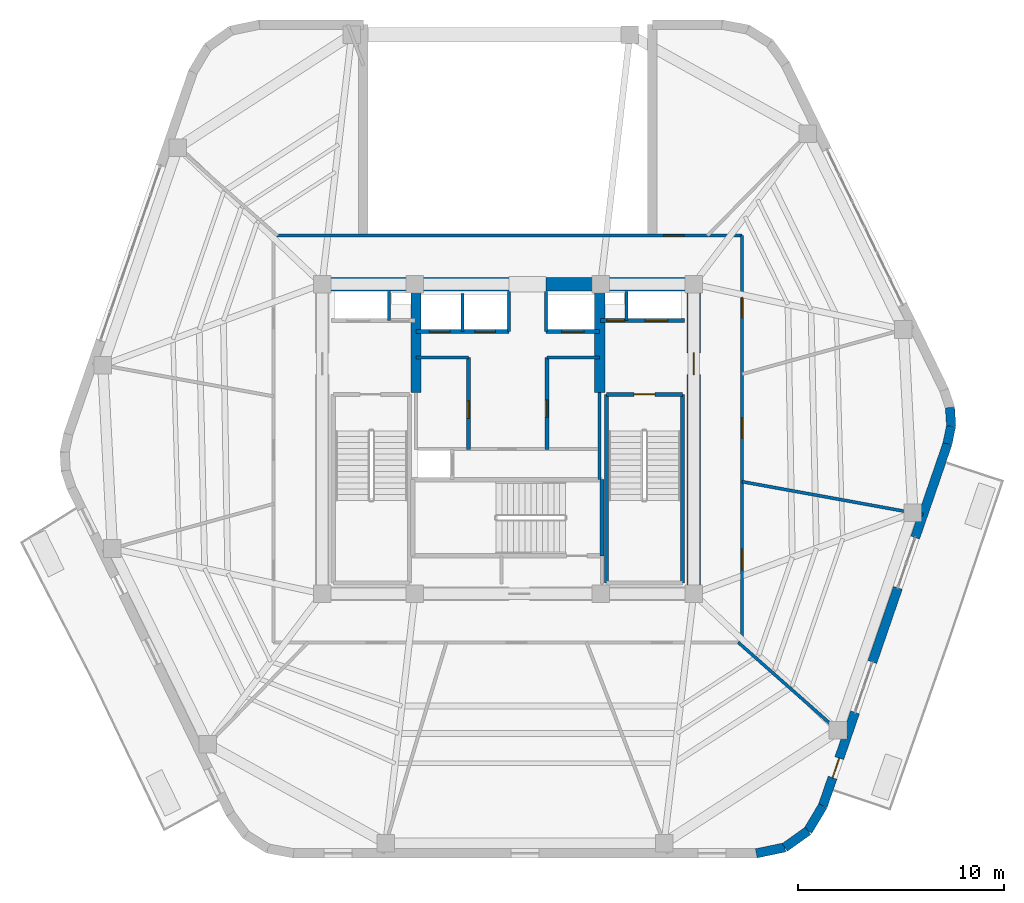
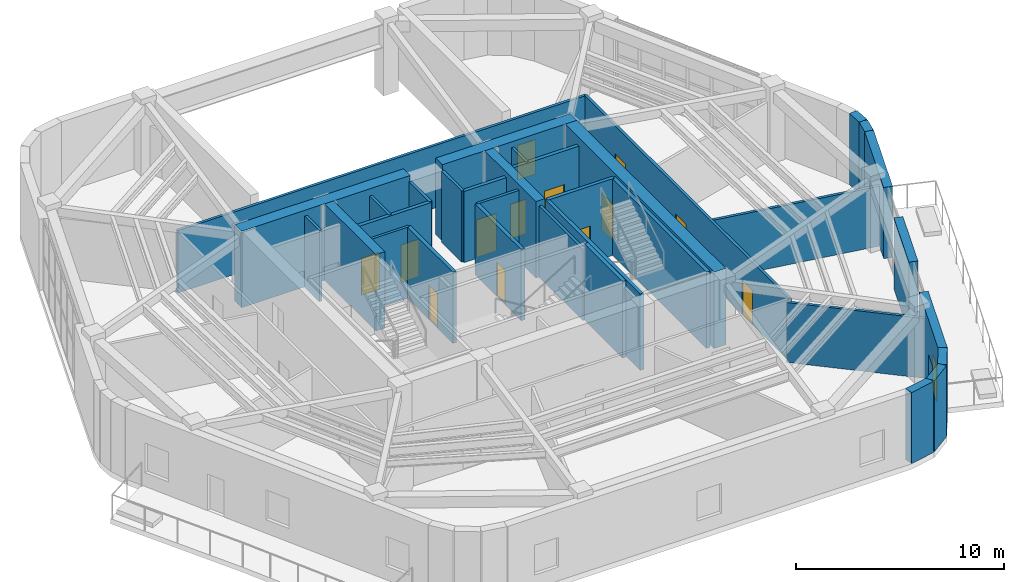
# One storey, part 12 of 15: 34 walls, 14 doors, 14 openings.
"""IFC4 building model written with IfcOpenShell, lengths in metres."""

from ifc_helpers import new_model, si_unit, direction, frame, frame_2d, origin, place, context, subcontext, project, spatial, rectangle, extrude, material, layer, layer_set, type_object, element, fill, save


model = new_model("IFC4")

# Units and contexts
model_context = context("Model", 3, precision=1e-05, world=origin(), true_north=direction((0.0, 1.0)))
body_context = subcontext(model_context, "Body", "Model", "MODEL_VIEW")
ifc_project = project(units=[si_unit("LENGTHUNIT", "METRE"), si_unit("AREAUNIT", "SQUARE_METRE"), si_unit("VOLUMEUNIT", "CUBIC_METRE"), si_unit("PLANEANGLEUNIT", "RADIAN"), si_unit("MASSUNIT", "GRAM", prefix="KILO")], contexts=[model_context])

# Site, building, storey
site_placement = place(None, origin())
site = spatial("IfcSite", under=ifc_project, at=site_placement, CompositionType="ELEMENT")
building_placement = place(site_placement, origin())
building = spatial("IfcBuilding", under=site, at=building_placement, Name="Kilnhurst Terrace Hotel", CompositionType="ELEMENT")
storey_placement = place(building_placement, frame((0.0, 0.0, 293.10009765625)))
storey = spatial("IfcBuildingStorey", under=building, at=storey_placement, Name="L73", CompositionType="ELEMENT", Elevation=293.10009765625)

# Walls
ifc_material_1 = material(Name="Precast concrete C40/50", Category="concrete")
ifc_layer_1 = layer(ifc_material_1, 0.449951171875, Name="Precast concrete C40/50")
ifc_layer_set_1 = layer_set([ifc_layer_1], Name="Precast concrete C40/50")
wall_type_1 = type_object("IfcWallType", Name="WL-BRK-450", PredefinedType="SOLIDWALL", material=ifc_layer_set_1)
wall_1_placement = place(storey_placement, frame((12.038330078125, -20.074951171875, 0.0), z_axis=(0.0, 0.0, 1.0), x_axis=(0.978750122553, 0.205056571711, 0.0)))
element("IfcWall", 1, at=wall_1_placement, inside=storey, type_object=wall_type_1, Name="L73 Rounded Corner Brick Wall C2.1", PredefinedType="SOLIDWALL", context=body_context, shape_type="SweptSolid", body=[
    extrude(rectangle(XDim=1.406005859375, YDim=0.449951171875, at=frame_2d((0.703125, 0.0))), origin(), (0.0, 0.0, 1.0), 4.179931640625),
])
wall_2_placement = place(storey_placement, frame((13.41455078125, -19.78662109375, 0.0), z_axis=(0.0, 0.0, 1.0), x_axis=(0.814055493997, 0.580787097561, 0.0)))
element("IfcWall", 2, at=wall_2_placement, inside=storey, type_object=wall_type_1, Name="L73 Rounded Corner Brick Wall C2.2", PredefinedType="SOLIDWALL", context=body_context, shape_type="SweptSolid", body=[
    extrude(rectangle(XDim=1.382568359375, YDim=0.449951171875, at=frame_2d((0.69140625, 0.0))), origin(), (0.0, 0.0, 1.0), 4.179931640625),
])
wall_3_placement = place(storey_placement, frame((14.5400390625, -18.983642578125, 0.0), z_axis=(0.0, 0.0, 1.0), x_axis=(0.512374906623, 0.858761873317, 0.0)))
element("IfcWall", 3, at=wall_3_placement, inside=storey, type_object=wall_type_1, Name="L73 Rounded Corner Brick Wall C2.3", PredefinedType="SOLIDWALL", context=body_context, shape_type="SweptSolid", body=[
    extrude(rectangle(XDim=1.406005859375, YDim=0.449951171875, at=frame_2d((0.703125, 0.0))), origin(), (0.0, 0.0, 1.0), 4.179931640625),
])
wall_4_placement = place(storey_placement, frame((21.297607421875, -0.2333984375, 0.0), z_axis=(0.0, 0.0, 1.0), x_axis=(0.199158176661, 0.979967356941, 0.0)))
element("IfcWall", 4, at=wall_4_placement, inside=storey, type_object=wall_type_1, Name="L73 Rounded Corner Brick Wall C3.1", PredefinedType="SOLIDWALL", context=body_context, shape_type="SweptSolid", body=[
    extrude(rectangle(XDim=0.894775390625, YDim=0.449951171875, at=frame_2d((0.447265625, 0.0))), origin(), (0.0, 0.0, 1.0), 4.179931640625),
])
wall_5_placement = place(storey_placement, frame((21.475830078125, 0.6435546875, 0.0), z_axis=(0.0, 0.0, 1.0), x_axis=(-0.061031097918, 0.998135865044, 0.0)))
element("IfcWall", 5, at=wall_5_placement, inside=storey, type_object=wall_type_1, Name="L73 Rounded Corner Brick Wall C3.2", PredefinedType="SOLIDWALL", context=body_context, shape_type="SweptSolid", body=[
    extrude(rectangle(XDim=0.880126953125, YDim=0.449951171875, at=frame_2d((0.43994140625, 0.0))), origin(), (0.0, 0.0, 1.0), 4.179931640625),
])

# Wall, opening, door
wall_6_placement = place(storey_placement, frame((15.260498046875, -17.776123046875, 0.0), z_axis=(0.0, 0.0, 1.0), x_axis=(0.325408461582, 0.945573547182, 0.0)))
wall_6 = element("IfcWall", 6, at=wall_6_placement, inside=storey, type_object=wall_type_1, Name="L73 Face 2 Brick Pier 1", PredefinedType="SOLIDWALL", context=body_context, shape_type="SweptSolid", body=[
    extrude(rectangle(XDim=4.794921875, YDim=0.449951171875, at=frame_2d((2.3974609375, 0.0))), origin(), (0.0, 0.0, 1.0), 4.179931640625),
])
opening_1_placement = place(wall_6_placement, frame((1.447021484375, 0.0, 0.0)))
opening_1 = element("IfcOpeningElement", 7, at=opening_1_placement, cuts=wall_6, Name="Opening BD-1000", PredefinedType="OPENING", context=body_context, shape_type="SweptSolid", body=[
    extrude(rectangle(XDim=1.0, YDim=2.14990234375, at=frame_2d((0.5, 1.074951171875))), frame((0.0, 0.23486328125, 0.0), z_axis=(0.0, -1.0, 0.0), x_axis=(1.0, 0.0, 0.0)), (0.0, 0.0, 1.0), 0.469970703125),
])
ifc_material_2 = material(Name="Thermally Broken Bronze Aluminium Alloy 6063-T6 and Laminated Glass", Category="aluminium")
door_type_1 = type_object("IfcDoorType", Name="DR-EXT-BAL-1000", OperationType="NOTDEFINED", PredefinedType="DOOR", material=ifc_material_2)
door_1_placement = place(opening_1_placement, origin())
door_1 = element("IfcDoor", 8, at=door_1_placement, inside=storey, type_object=door_type_1, Name="L73 Terrace Access Door BAL-L1A", OperationType="SINGLE_SWING_LEFT", OverallHeight=2.14990234375, OverallWidth=1.0, PredefinedType="DOOR", context=body_context, shape_type="SweptSolid", body=[
    extrude(rectangle(XDim=1.0, YDim=2.14990234375, at=frame_2d((0.5, 1.074951171875))), frame((0.0, 0.02490234375, 0.0), z_axis=(0.0, -1.0, 0.0), x_axis=(1.0, 0.0, 0.0)), (0.0, 0.0, 1.0), 0.050048828125),
])
fill(opening_1, door_1)

# Walls
wall_7_placement = place(storey_placement, frame((17.659423828125, -10.805419921875, 0.0), z_axis=(0.0, 0.0, 1.0), x_axis=(0.325406534544, 0.945574210349, 0.0)))
element("IfcWall", 9, at=wall_7_placement, inside=storey, type_object=wall_type_1, Name="L73 Face 2 Brick Pier 2", PredefinedType="SOLIDWALL", context=body_context, shape_type="SweptSolid", body=[
    extrude(rectangle(XDim=3.800048828125, YDim=0.449951171875, at=frame_2d((1.89990234375, 0.0))), origin(), (0.0, 0.0, 1.0), 4.179931640625),
])
wall_8_placement = place(storey_placement, frame((19.734375, -4.775390625, 0.0), z_axis=(0.0, 0.0, 1.0), x_axis=(0.325437701015, 0.945563484256, 0.0)))
element("IfcWall", 10, at=wall_8_placement, inside=storey, type_object=wall_type_1, Name="L73 Face 2 End Brick Pier", PredefinedType="SOLIDWALL", context=body_context, shape_type="SweptSolid", body=[
    extrude(rectangle(XDim=4.803466796875, YDim=0.449951171875, at=frame_2d((2.40185546875, 0.0))), origin(), (0.0, 0.0, 1.0), 4.179931640625),
])

# Wall, opening, door
ifc_material_3 = material(Name="Acoustic Double-Gypsum Corridor Partition Assembly")
ifc_layer_2 = layer(ifc_material_3, 0.14990234375, Name="Acoustic Double-Gypsum Corridor Partition Assembly")
ifc_layer_set_2 = layer_set([ifc_layer_2], Name="Acoustic Double-Gypsum Corridor Partition Assembly")
wall_type_2 = type_object("IfcWallType", Name="WL-COR-150", PredefinedType="PARTITIONING", material=ifc_layer_set_2)
wall_9_placement = place(storey_placement, frame((-11.35009765625, 9.85009765625, 0.0), z_axis=(0.0, 0.0, 1.0), x_axis=(1.0, 0.0, 0.0)))
wall_9 = element("IfcWall", 11, at=wall_9_placement, inside=storey, type_object=wall_type_2, Name="L73 Interior Wall WL-L73-COR-01", PredefinedType="PARTITIONING", context=body_context, shape_type="SweptSolid", body=[
    extrude(rectangle(XDim=22.7001953125, YDim=0.14990234375, at=frame_2d((11.35009765625, 0.0))), origin(), (0.0, 0.0, 1.0), 3.669921875),
])
opening_2_placement = place(wall_9_placement, frame((18.89599609375, 0.0, 0.0)))
opening_2 = element("IfcOpeningElement", 12, at=opening_2_placement, cuts=wall_9, Name="Opening D-10A", PredefinedType="OPENING", context=body_context, shape_type="SweptSolid", body=[
    extrude(rectangle(XDim=1.0, YDim=2.030029296875, at=frame_2d((0.5, 1.01513671875))), frame((0.0, 0.0849609375, 0.0), z_axis=(0.0, -1.0, 0.0), x_axis=(1.0, 0.0, 0.0)), (0.0, 0.0, 1.0), 0.169921875),
])
ifc_material_4 = material(Name="Solid-Core American White Oak Interior Door")
door_type_2 = type_object("IfcDoorType", Name="DR-INT-1000", OperationType="NOTDEFINED", PredefinedType="DOOR", material=ifc_material_4)
door_2_placement = place(opening_2_placement, origin())
door_2 = element("IfcDoor", 13, at=door_2_placement, inside=storey, type_object=door_type_2, Name="L73 Upper Portal Private Club Lounge Center Wing Door", OperationType="SINGLE_SWING_RIGHT", OverallHeight=2.030029296875, OverallWidth=1.0, PredefinedType="DOOR", context=body_context, shape_type="SweptSolid", body=[
    extrude(rectangle(XDim=1.0, YDim=2.030029296875, at=frame_2d((0.5, 1.01513671875))), frame((0.0, 0.02490234375, 0.0), z_axis=(0.0, -1.0, 0.0), x_axis=(1.0, 0.0, 0.0)), (0.0, 0.0, 1.0), 0.050048828125),
])
fill(opening_2, door_2)

# Wall, openings, doors
wall_10_placement = place(storey_placement, frame((11.35009765625, 9.85009765625, 0.0), z_axis=(0.0, 0.0, 1.0), x_axis=(0.0, -1.0, 0.0)))
wall_10 = element("IfcWall", 14, at=wall_10_placement, inside=storey, type_object=wall_type_2, Name="L73 Interior Wall WL-L73-COR-02", PredefinedType="PARTITIONING", context=body_context, shape_type="SweptSolid", body=[
    extrude(rectangle(XDim=19.7001953125, YDim=0.14990234375, at=frame_2d((9.85009765625, 0.0))), origin(), (0.0, 0.0, 1.0), 3.669921875),
])
opening_3_placement = place(wall_10_placement, frame((2.972900390625, 0.0, 0.0)))
opening_3 = element("IfcOpeningElement", 15, at=opening_3_placement, cuts=wall_10, Name="Opening D-10A", PredefinedType="OPENING", context=body_context, shape_type="SweptSolid", body=[
    extrude(rectangle(XDim=1.0, YDim=2.030029296875, at=frame_2d((0.5, 1.01513671875))), frame((0.0, 0.0849609375, 0.0), z_axis=(0.0, -1.0, 0.0), x_axis=(1.0, 0.0, 0.0)), (0.0, 0.0, 1.0), 0.169921875),
])
opening_4_placement = place(wall_10_placement, frame((15.18896484375, 0.0, 0.0)))
opening_4 = element("IfcOpeningElement", 16, at=opening_4_placement, cuts=wall_10, Name="Opening D-10A", PredefinedType="OPENING", context=body_context, shape_type="SweptSolid", body=[
    extrude(rectangle(XDim=1.0, YDim=2.030029296875, at=frame_2d((0.5, 1.01513671875))), frame((0.0, 0.0849609375, 0.0), z_axis=(0.0, -1.0, 0.0), x_axis=(1.0, 0.0, 0.0)), (0.0, 0.0, 1.0), 0.169921875),
])
opening_5_placement = place(wall_10_placement, frame((8.81005859375, 0.0, 0.0)))
opening_5 = element("IfcOpeningElement", 17, at=opening_5_placement, cuts=wall_10, Name="Opening D-10A", PredefinedType="OPENING", context=body_context, shape_type="SweptSolid", body=[
    extrude(rectangle(XDim=1.0, YDim=2.030029296875, at=frame_2d((0.5, 1.01513671875))), frame((0.0, 0.0849609375, 0.0), z_axis=(0.0, -1.0, 0.0), x_axis=(1.0, 0.0, 0.0)), (0.0, 0.0, 1.0), 0.169921875),
])
door_3_placement = place(opening_3_placement, origin())
door_3 = element("IfcDoor", 18, at=door_3_placement, inside=storey, type_object=door_type_2, Name="L73 Upper Portal Private Club Lounge West Wing Door", OperationType="SINGLE_SWING_LEFT", OverallHeight=2.030029296875, OverallWidth=1.0, PredefinedType="DOOR", context=body_context, shape_type="SweptSolid", body=[
    extrude(rectangle(XDim=1.0, YDim=2.030029296875, at=frame_2d((0.5, 1.01513671875))), frame((0.0, 0.02490234375, 0.0), z_axis=(0.0, -1.0, 0.0), x_axis=(1.0, 0.0, 0.0)), (0.0, 0.0, 1.0), 0.050048828125),
])
fill(opening_3, door_3)
door_4_placement = place(opening_4_placement, origin())
door_4 = element("IfcDoor", 19, at=door_4_placement, inside=storey, type_object=door_type_2, Name="L73 Portal Club Restrooms Block Door", OperationType="SINGLE_SWING_LEFT", OverallHeight=2.030029296875, OverallWidth=1.0, PredefinedType="DOOR", context=body_context, shape_type="SweptSolid", body=[
    extrude(rectangle(XDim=1.0, YDim=2.030029296875, at=frame_2d((0.5, 1.01513671875))), frame((0.0, 0.02490234375, 0.0), z_axis=(0.0, -1.0, 0.0), x_axis=(1.0, 0.0, 0.0)), (0.0, 0.0, 1.0), 0.050048828125),
])
fill(opening_4, door_4)
door_5_placement = place(opening_5_placement, origin())
door_5 = element("IfcDoor", 20, at=door_5_placement, inside=storey, type_object=door_type_2, Name="L73 Club Accessible Toilets Block Door", OperationType="SINGLE_SWING_RIGHT", OverallHeight=2.030029296875, OverallWidth=1.0, PredefinedType="DOOR", context=body_context, shape_type="SweptSolid", body=[
    extrude(rectangle(XDim=1.0, YDim=2.030029296875, at=frame_2d((0.5, 1.01513671875))), frame((0.0, 0.02490234375, 0.0), z_axis=(0.0, -1.0, 0.0), x_axis=(1.0, 0.0, 0.0)), (0.0, 0.0, 1.0), 0.050048828125),
])
fill(opening_5, door_5)

# Walls
ifc_material_5 = material(Name="Concrete C60/75", Category="concrete")
ifc_layer_3 = layer(ifc_material_5, 0.64990234375, Name="Concrete C60/75")
ifc_layer_set_3 = layer_set([ifc_layer_3], Name="Concrete C60/75")
wall_type_3 = type_object("IfcWallType", Name="WL-CORE-650", PredefinedType="SHEAR", material=ifc_layer_set_3)
wall_11_placement = place(storey_placement, frame((-9.324951171875, 7.5, 0.0), z_axis=(0.0, 0.0, 1.0), x_axis=(1.0, 0.0, 0.0)))
element("IfcWall", 21, at=wall_11_placement, inside=storey, type_object=wall_type_3, Name="L73 Core North West Shear Wall", PredefinedType="SHEAR", context=body_context, shape_type="SweptSolid", body=[
    extrude(rectangle(XDim=9.375, YDim=0.64990234375, at=frame_2d((4.6875, 0.0))), origin(), (0.0, 0.0, 1.0), 4.5),
])
wall_12_placement = place(storey_placement, frame((1.85009765625, 7.5, 0.0), z_axis=(0.0, 0.0, 1.0), x_axis=(1.0, 0.0, 0.0)))
element("IfcWall", 22, at=wall_12_placement, inside=storey, type_object=wall_type_3, Name="L73 Core North East Shear Wall", PredefinedType="SHEAR", context=body_context, shape_type="SweptSolid", body=[
    extrude(rectangle(XDim=7.474853515625, YDim=0.64990234375, at=frame_2d((3.7373046875, 0.0))), origin(), (0.0, 0.0, 1.0), 4.5),
])

# Wall, opening, door
wall_13_placement = place(storey_placement, frame((9.0, -7.175048828125, 0.0), z_axis=(0.0, 0.0, 1.0), x_axis=(0.0, 1.0, 0.0)))
wall_13 = element("IfcWall", 23, at=wall_13_placement, inside=storey, type_object=wall_type_3, Name="L73 Core East Shear Wall", PredefinedType="SHEAR", context=body_context, shape_type="SweptSolid", body=[
    extrude(rectangle(XDim=14.35009765625, YDim=0.64990234375, at=frame_2d((7.175048828125, 0.0))), origin(), (0.0, 0.0, 1.0), 4.5),
])
opening_6_placement = place(wall_13_placement, frame((10.300048828125, 0.0, 0.0)))
opening_6 = element("IfcOpeningElement", 24, at=opening_6_placement, cuts=wall_13, Name="Opening D-90A", PredefinedType="OPENING", context=body_context, shape_type="SweptSolid", body=[
    extrude(rectangle(XDim=1.050048828125, YDim=2.14990234375, at=frame_2d((0.52490234375, 1.074951171875))), frame((0.0, 0.3349609375, 0.0), z_axis=(0.0, -1.0, 0.0), x_axis=(1.0, 0.0, 0.0)), (0.0, 0.0, 1.0), 0.669921875),
])
ifc_material_6 = material(Name="Painted Hollow Metal Steel ASTM A36 Fire Door", Category="steel")
door_type_3 = type_object("IfcDoorType", Name="DR-FD90-1050", OperationType="NOTDEFINED", PredefinedType="DOOR", material=ifc_material_6)
door_6_placement = place(opening_6_placement, origin())
door_6 = element("IfcDoor", 25, at=door_6_placement, inside=storey, type_object=door_type_3, Name="L73 East Firefighting Lobby Door", OperationType="SINGLE_SWING_LEFT", OverallHeight=2.14990234375, OverallWidth=1.050048828125, PredefinedType="DOOR", context=body_context, shape_type="SweptSolid", body=[
    extrude(rectangle(XDim=1.050048828125, YDim=2.14990234375, at=frame_2d((0.52490234375, 1.074951171875))), frame((0.0, 0.02490234375, 0.0), z_axis=(0.0, -1.0, 0.0), x_axis=(1.0, 0.0, 0.0)), (0.0, 0.0, 1.0), 0.050048828125),
])
fill(opening_6, door_6)

# Walls
ifc_layer_4 = layer(ifc_material_5, 0.5, Name="Concrete C60/75")
ifc_layer_set_4 = layer_set([ifc_layer_4], Name="Concrete C60/75")
wall_type_4 = type_object("IfcWallType", Name="WL-CORE-WEB-500", PredefinedType="SHEAR", material=ifc_layer_set_4)
for number, where, z_axis, x_axis, name in (
    (26, (-4.449951171875, 2.25, 0.0), (0.0, 0.0, 1.0), (0.0, 1.0, 0.0), "L73 Core Internal West Shear Web"),
    (27, (4.449951171875, 2.25, 0.0), (0.0, 0.0, 1.0), (0.0, 1.0, 0.0), "L73 Core Internal East Shear Web"),
):
    element("IfcWall", number, at=place(storey_placement, frame(where, z_axis=z_axis, x_axis=x_axis)), inside=storey, type_object=wall_type_4, Name=name, PredefinedType="SHEAR", context=body_context, shape_type="SweptSolid", body=[
        extrude(rectangle(XDim=4.925048828125, YDim=0.5, at=frame_2d((2.46240234375, 0.0))), origin(), (0.0, 0.0, 1.0), 4.5),
    ])
ifc_material_7 = material(Name="150 mm Acoustic Gypsum Hospitality Partition")
ifc_layer_5 = layer(ifc_material_7, 0.14990234375, Name="150 mm Acoustic Gypsum Hospitality Partition")
ifc_layer_set_5 = layer_set([ifc_layer_5], Name="150 mm Acoustic Gypsum Hospitality Partition")
wall_type_5 = type_object("IfcWallType", Name="WL-PART-150", PredefinedType="PARTITIONING", material=ifc_layer_set_5)
wall_14_placement = place(storey_placement, frame((11.1572265625, -9.85009765625, 0.0), z_axis=(0.0, 0.0, 1.0), x_axis=(0.74966962095, -0.661812253909, 0.0)))
element("IfcWall", 28, at=wall_14_placement, inside=storey, type_object=wall_type_5, Name="L73 Interior Wall WL-L73-SCOL-11-1", PredefinedType="PARTITIONING", context=body_context, shape_type="SweptSolid", body=[
    extrude(rectangle(XDim=6.98876953125, YDim=0.14990234375, at=frame_2d((3.494384765625, 0.0))), origin(), (0.0, 0.0, 1.0), 3.52001953125),
])
wall_15_placement = place(storey_placement, frame((11.35009765625, -2.067138671875, 0.0), z_axis=(0.0, 0.0, 1.0), x_axis=(0.983816386236, -0.179179569634, 0.0)))
element("IfcWall", 29, at=wall_15_placement, inside=storey, type_object=wall_type_5, Name="L73 Interior Wall WL-L73-SCOL-12-1", PredefinedType="PARTITIONING", context=body_context, shape_type="SweptSolid", body=[
    extrude(rectangle(XDim=8.9111328125, YDim=0.14990234375, at=frame_2d((4.45556640625, 0.0))), origin(), (0.0, 0.0, 1.0), 3.52001953125),
])
ifc_material_8 = material(Name="Fire-Rated Gypsum Shaftliner Assembly")
ifc_layer_6 = layer(ifc_material_8, 0.14990234375, Name="Fire-Rated Gypsum Shaftliner Assembly")
ifc_layer_set_6 = layer_set([ifc_layer_6], Name="Fire-Rated Gypsum Shaftliner Assembly")
wall_type_6 = type_object("IfcWallType", Name="WL-SHAFT-150", PredefinedType="PARTITIONING", material=ifc_layer_set_6)
for number, where, z_axis, x_axis, name in (
    (30, (-5.75, 5.739990234375, 0.0), (0.0, 0.0, 1.0), (0.0, 1.0, 0.0), "L73 Interior Wall WL-L73-RIS1-DIV"),
    (31, (5.75, 5.739990234375, 0.0), (0.0, 0.0, 1.0), (0.0, 1.0, 0.0), "L73 Interior Wall WL-L73-RIS2-DIV"),
):
    element("IfcWall", number, at=place(storey_placement, frame(where, z_axis=z_axis, x_axis=x_axis)), inside=storey, type_object=wall_type_6, Name=name, PredefinedType="PARTITIONING", context=body_context, shape_type="SweptSolid", body=[
        extrude(rectangle(XDim=1.409912109375, YDim=0.14990234375, at=frame_2d((0.705078125, 0.0))), origin(), (0.0, 0.0, 1.0), 4.179931640625),
    ])
wall_16_placement = place(storey_placement, frame((-2.199951171875, 5.199951171875, 0.0), z_axis=(0.0, 0.0, 1.0), x_axis=(0.0, 1.0, 0.0)))
element("IfcWall", 32, at=wall_16_placement, inside=storey, type_object=wall_type_6, Name="L73 Interior Wall WL-L73-HR-DIV1", PredefinedType="PARTITIONING", context=body_context, shape_type="SweptSolid", body=[
    extrude(rectangle(XDim=1.85009765625, YDim=0.14990234375, at=frame_2d((0.925048828125, 0.0))), origin(), (0.0, 0.0, 1.0), 4.179931640625),
])
for number, where, z_axis, x_axis, name in (
    (33, (0.050048828125, 5.199951171875, 0.0), (0.0, 0.0, 1.0), (0.0, 1.0, 0.0), "L73 Interior Wall WL-L73-HR-PORTAL-W"),
    (34, (1.85009765625, 5.199951171875, 0.0), (0.0, 0.0, 1.0), (0.0, 1.0, 0.0), "L73 Interior Wall WL-L73-HR-PORTAL-E"),
):
    element("IfcWall", number, at=place(storey_placement, frame(where, z_axis=z_axis, x_axis=x_axis)), inside=storey, type_object=wall_type_6, Name=name, PredefinedType="PARTITIONING", context=body_context, shape_type="SweptSolid", body=[
        extrude(rectangle(XDim=1.949951171875, YDim=0.14990234375, at=frame_2d((0.97509765625, 0.0))), origin(), (0.0, 0.0, 1.0), 4.179931640625),
    ])
wall_17_placement = place(storey_placement, frame((4.449951171875, -1.971923828125, 0.0), z_axis=(0.0, 0.0, 1.0), x_axis=(0.0, 1.0, 0.0)))
element("IfcWall", 35, at=wall_17_placement, inside=storey, type_object=wall_type_6, Name="L73 Interior Wall WL-L73-XLOB-E", PredefinedType="PARTITIONING", context=body_context, shape_type="SweptSolid", body=[
    extrude(rectangle(XDim=4.221923828125, YDim=0.14990234375, at=frame_2d((2.11083984375, 0.0))), origin(), (0.0, 0.0, 1.0), 4.179931640625),
])
for number, where, z_axis, x_axis, name in (
    (36, (-4.449951171875, 3.93994140625, 0.0), (0.0, 0.0, 1.0), (1.0, 0.0, 0.0), "L73 Interior Wall WL-L73-LR-NORTH"),
    (37, (1.89990234375, 3.93994140625, 0.0), (0.0, 0.0, 1.0), (1.0, 0.0, 0.0), "L73 Interior Wall WL-L73-MR-NORTH"),
):
    element("IfcWall", number, at=place(storey_placement, frame(where, z_axis=z_axis, x_axis=x_axis)), inside=storey, type_object=wall_type_6, Name=name, PredefinedType="PARTITIONING", context=body_context, shape_type="SweptSolid", body=[
        extrude(rectangle(XDim=2.550048828125, YDim=0.14990234375, at=frame_2d((1.27490234375, 0.0))), origin(), (0.0, 0.0, 1.0), 4.179931640625),
    ])

# Wall, openings, doors
ifc_material_9 = material(Name="Autoclaved Aerated Concrete C30/37 and Gypsum Shaft Assembly", Category="concrete")
ifc_layer_7 = layer(ifc_material_9, 0.199951171875, Name="Autoclaved Aerated Concrete C30/37 and Gypsum Shaft Assembly")
ifc_layer_set_7 = layer_set([ifc_layer_7], Name="Autoclaved Aerated Concrete C30/37 and Gypsum Shaft Assembly")
wall_type_7 = type_object("IfcWallType", Name="WL-SHAFT-200", PredefinedType="PARTITIONING", material=ifc_layer_set_7)
wall_18_placement = place(storey_placement, frame((4.5, 5.739990234375, 0.0), z_axis=(0.0, 0.0, 1.0), x_axis=(1.0, 0.0, 0.0)))
wall_18 = element("IfcWall", 38, at=wall_18_placement, inside=storey, type_object=wall_type_7, Name="L73 Interior Wall WL-L73-FSAE2-S", PredefinedType="PARTITIONING", context=body_context, shape_type="SweptSolid", body=[
    extrude(rectangle(XDim=4.050048828125, YDim=0.199951171875, at=frame_2d((2.02490234375, 0.0))), origin(), (0.0, 0.0, 1.0), 4.179931640625),
])
opening_7_placement = place(wall_18_placement, frame((0.300048828125, 0.0, 0.0)))
opening_7 = element("IfcOpeningElement", 39, at=opening_7_placement, cuts=wall_18, Name="Opening D-60D", PredefinedType="OPENING", context=body_context, shape_type="SweptSolid", body=[
    extrude(rectangle(XDim=0.85009765625, YDim=2.030029296875, at=frame_2d((0.425048828125, 1.01513671875))), frame((0.0, 0.10986328125, 0.0), z_axis=(0.0, -1.0, 0.0), x_axis=(1.0, 0.0, 0.0)), (0.0, 0.0, 1.0), 0.219970703125),
])
opening_8_placement = place(wall_18_placement, frame((2.14990234375, 0.0, 0.0)))
opening_8 = element("IfcOpeningElement", 40, at=opening_8_placement, cuts=wall_18, Name="Opening LD-F2", PredefinedType="OPENING", context=body_context, shape_type="SweptSolid", body=[
    extrude(rectangle(XDim=1.10009765625, YDim=2.199951171875, at=frame_2d((0.550048828125, 1.10009765625))), frame((0.0, 0.10986328125, 0.0), z_axis=(0.0, -1.0, 0.0), x_axis=(1.0, 0.0, 0.0)), (0.0, 0.0, 1.0), 0.219970703125),
])
ifc_material_10 = material(Name="Painted Hollow Metal Steel ASTM A36 Riser Door", Category="steel")
door_type_4 = type_object("IfcDoorType", Name="DR-FD60-850", OperationType="NOTDEFINED", PredefinedType="DOOR", material=ifc_material_10)
door_7_placement = place(opening_7_placement, origin())
door_7 = element("IfcDoor", 41, at=door_7_placement, inside=storey, type_object=door_type_4, Name="L73 Telecom Riser Door", OperationType="SINGLE_SWING_RIGHT", OverallHeight=2.030029296875, OverallWidth=0.85009765625, PredefinedType="DOOR", context=body_context, shape_type="SweptSolid", body=[
    extrude(rectangle(XDim=0.85009765625, YDim=2.030029296875, at=frame_2d((0.425048828125, 1.01513671875))), frame((0.0, 0.02490234375, 0.0), z_axis=(0.0, -1.0, 0.0), x_axis=(1.0, 0.0, 0.0)), (0.0, 0.0, 1.0), 0.050048828125),
])
fill(opening_7, door_7)
ifc_material_11 = material(Name="Bronze-Anodized Stainless Steel AISI 316L Sliding Door", Category="steel")
door_type_5 = type_object("IfcDoorType", Name="DR-LIFT-1100", OperationType="NOTDEFINED", PredefinedType="DOOR", material=ifc_material_11)
door_8_placement = place(opening_8_placement, origin())
door_8 = element("IfcDoor", 42, at=door_8_placement, inside=storey, type_object=door_type_5, Name="L73 FSAE-2 Landing Door", OperationType="SLIDING_TO_RIGHT", OverallHeight=2.199951171875, OverallWidth=1.10009765625, PredefinedType="DOOR", context=body_context, shape_type="SweptSolid", body=[
    extrude(rectangle(XDim=1.10009765625, YDim=2.199951171875, at=frame_2d((0.550048828125, 1.10009765625))), frame((0.0, 0.02490234375, 0.0), z_axis=(0.0, -1.0, 0.0), x_axis=(1.0, 0.0, 0.0)), (0.0, 0.0, 1.0), 0.050048828125),
])
fill(opening_8, door_8)

wall_19_placement = place(storey_placement, frame((-4.449951171875, 5.199951171875, 0.0), z_axis=(0.0, 0.0, 1.0), x_axis=(1.0, 0.0, 0.0)))
wall_19 = element("IfcWall", 43, at=wall_19_placement, inside=storey, type_object=wall_type_7, Name="L73 Interior Wall WL-L73-HR-SW", PredefinedType="PARTITIONING", context=body_context, shape_type="SweptSolid", body=[
    extrude(rectangle(XDim=4.5, YDim=0.199951171875, at=frame_2d((2.25, 0.0))), origin(), (0.0, 0.0, 1.0), 4.179931640625),
])
opening_9_placement = place(wall_19_placement, frame((0.64990234375, 0.0, 0.0)))
opening_9 = element("IfcOpeningElement", 44, at=opening_9_placement, cuts=wall_19, Name="Opening LD-HR", PredefinedType="OPENING", context=body_context, shape_type="SweptSolid", body=[
    extrude(rectangle(XDim=1.0, YDim=2.199951171875, at=frame_2d((0.5, 1.10009765625))), frame((0.0, 0.10986328125, 0.0), z_axis=(0.0, -1.0, 0.0), x_axis=(1.0, 0.0, 0.0)), (0.0, 0.0, 1.0), 0.219970703125),
])
opening_10_placement = place(wall_19_placement, frame((2.85009765625, 0.0, 0.0)))
opening_10 = element("IfcOpeningElement", 45, at=opening_10_placement, cuts=wall_19, Name="Opening LD-HS", PredefinedType="OPENING", context=body_context, shape_type="SweptSolid", body=[
    extrude(rectangle(XDim=1.0, YDim=2.199951171875, at=frame_2d((0.5, 1.10009765625))), frame((0.0, 0.10986328125, 0.0), z_axis=(0.0, -1.0, 0.0), x_axis=(1.0, 0.0, 0.0)), (0.0, 0.0, 1.0), 0.219970703125),
])
door_type_6 = type_object("IfcDoorType", Name="DR-LIFT-1000", OperationType="NOTDEFINED", PredefinedType="DOOR", material=ifc_material_11)
door_9_placement = place(opening_9_placement, origin())
door_9 = element("IfcDoor", 46, at=door_9_placement, inside=storey, type_object=door_type_6, Name="L73 High Rise Lift HR-1 Landing Door", OperationType="SLIDING_TO_LEFT", OverallHeight=2.199951171875, OverallWidth=1.0, PredefinedType="DOOR", context=body_context, shape_type="SweptSolid", body=[
    extrude(rectangle(XDim=1.0, YDim=2.199951171875, at=frame_2d((0.5, 1.10009765625))), frame((0.0, 0.02490234375, 0.0), z_axis=(0.0, -1.0, 0.0), x_axis=(1.0, 0.0, 0.0)), (0.0, 0.0, 1.0), 0.050048828125),
])
fill(opening_9, door_9)
door_10_placement = place(opening_10_placement, origin())
door_10 = element("IfcDoor", 47, at=door_10_placement, inside=storey, type_object=door_type_6, Name="L73 High Rise Lift HR-3 Landing Door", OperationType="SLIDING_TO_RIGHT", OverallHeight=2.199951171875, OverallWidth=1.0, PredefinedType="DOOR", context=body_context, shape_type="SweptSolid", body=[
    extrude(rectangle(XDim=1.0, YDim=2.199951171875, at=frame_2d((0.5, 1.10009765625))), frame((0.0, 0.02490234375, 0.0), z_axis=(0.0, -1.0, 0.0), x_axis=(1.0, 0.0, 0.0)), (0.0, 0.0, 1.0), 0.050048828125),
])
fill(opening_10, door_10)

# Wall, opening, door
wall_20_placement = place(storey_placement, frame((1.85009765625, 5.199951171875, 0.0), z_axis=(0.0, 0.0, 1.0), x_axis=(1.0, 0.0, 0.0)))
wall_20 = element("IfcWall", 48, at=wall_20_placement, inside=storey, type_object=wall_type_7, Name="L73 Interior Wall WL-L73-HR-SE", PredefinedType="PARTITIONING", context=body_context, shape_type="SweptSolid", body=[
    extrude(rectangle(XDim=2.599853515625, YDim=0.199951171875, at=frame_2d((1.2998046875, 0.0))), origin(), (0.0, 0.0, 1.0), 4.179931640625),
])
opening_11_placement = place(wall_20_placement, frame((0.75, 0.0, 0.0)))
opening_11 = element("IfcOpeningElement", 49, at=opening_11_placement, cuts=wall_20, Name="Opening LD-H2", PredefinedType="OPENING", context=body_context, shape_type="SweptSolid", body=[
    extrude(rectangle(XDim=1.10009765625, YDim=2.199951171875, at=frame_2d((0.550048828125, 1.10009765625))), frame((0.0, 0.10986328125, 0.0), z_axis=(0.0, -1.0, 0.0), x_axis=(1.0, 0.0, 0.0)), (0.0, 0.0, 1.0), 0.219970703125),
])
door_11_placement = place(opening_11_placement, origin())
door_11 = element("IfcDoor", 50, at=door_11_placement, inside=storey, type_object=door_type_5, Name="L73 High Rise Lift HR-2 Landing Door", OperationType="SLIDING_TO_RIGHT", OverallHeight=2.199951171875, OverallWidth=1.10009765625, PredefinedType="DOOR", context=body_context, shape_type="SweptSolid", body=[
    extrude(rectangle(XDim=1.10009765625, YDim=2.199951171875, at=frame_2d((0.550048828125, 1.10009765625))), frame((0.0, 0.02490234375, 0.0), z_axis=(0.0, -1.0, 0.0), x_axis=(1.0, 0.0, 0.0)), (0.0, 0.0, 1.0), 0.050048828125),
])
fill(opening_11, door_11)

wall_21_placement = place(storey_placement, frame((-1.89990234375, -0.5, 0.0), z_axis=(0.0, 0.0, 1.0), x_axis=(0.0, 1.0, 0.0)))
wall_21 = element("IfcWall", 51, at=wall_21_placement, inside=storey, type_object=wall_type_7, Name="L73 Interior Wall WL-L73-LR-FRONT", PredefinedType="PARTITIONING", context=body_context, shape_type="SweptSolid", body=[
    extrude(rectangle(XDim=4.43994140625, YDim=0.199951171875, at=frame_2d((2.219970703125, 0.0))), origin(), (0.0, 0.0, 1.0), 4.179931640625),
])
opening_12_placement = place(wall_21_placement, frame((1.5, 0.0, 0.0)))
opening_12 = element("IfcOpeningElement", 52, at=opening_12_placement, cuts=wall_21, Name="Opening D-60D", PredefinedType="OPENING", context=body_context, shape_type="SweptSolid", body=[
    extrude(rectangle(XDim=0.85009765625, YDim=2.030029296875, at=frame_2d((0.425048828125, 1.01513671875))), frame((0.0, 0.10986328125, 0.0), z_axis=(0.0, -1.0, 0.0), x_axis=(1.0, 0.0, 0.0)), (0.0, 0.0, 1.0), 0.219970703125),
])
door_12_placement = place(opening_12_placement, origin())
door_12 = element("IfcDoor", 53, at=door_12_placement, inside=storey, type_object=door_type_4, Name="L73 Reclaimed Linen Room Door", OperationType="SINGLE_SWING_LEFT", OverallHeight=2.030029296875, OverallWidth=0.85009765625, PredefinedType="DOOR", context=body_context, shape_type="SweptSolid", body=[
    extrude(rectangle(XDim=0.85009765625, YDim=2.030029296875, at=frame_2d((0.425048828125, 1.01513671875))), frame((0.0, 0.02490234375, 0.0), z_axis=(0.0, -1.0, 0.0), x_axis=(1.0, 0.0, 0.0)), (0.0, 0.0, 1.0), 0.050048828125),
])
fill(opening_12, door_12)

wall_22_placement = place(storey_placement, frame((1.89990234375, -0.5, 0.0), z_axis=(0.0, 0.0, 1.0), x_axis=(0.0, 1.0, 0.0)))
wall_22 = element("IfcWall", 54, at=wall_22_placement, inside=storey, type_object=wall_type_7, Name="L73 Interior Wall WL-L73-MR-FRONT", PredefinedType="PARTITIONING", context=body_context, shape_type="SweptSolid", body=[
    extrude(rectangle(XDim=4.43994140625, YDim=0.199951171875, at=frame_2d((2.219970703125, 0.0))), origin(), (0.0, 0.0, 1.0), 4.179931640625),
])
opening_13_placement = place(wall_22_placement, frame((1.550048828125, 0.0, 0.0)))
opening_13 = element("IfcOpeningElement", 55, at=opening_13_placement, cuts=wall_22, Name="Opening D-60D", PredefinedType="OPENING", context=body_context, shape_type="SweptSolid", body=[
    extrude(rectangle(XDim=0.85009765625, YDim=2.030029296875, at=frame_2d((0.425048828125, 1.01513671875))), frame((0.0, 0.10986328125, 0.0), z_axis=(0.0, -1.0, 0.0), x_axis=(1.0, 0.0, 0.0)), (0.0, 0.0, 1.0), 0.219970703125),
])
door_13_placement = place(opening_13_placement, origin())
door_13 = element("IfcDoor", 56, at=door_13_placement, inside=storey, type_object=door_type_4, Name="L73 Staff Accessible Restroom Door", OperationType="SINGLE_SWING_RIGHT", OverallHeight=2.030029296875, OverallWidth=0.85009765625, PredefinedType="DOOR", context=body_context, shape_type="SweptSolid", body=[
    extrude(rectangle(XDim=0.85009765625, YDim=2.030029296875, at=frame_2d((0.425048828125, 1.01513671875))), frame((0.0, 0.02490234375, 0.0), z_axis=(0.0, -1.0, 0.0), x_axis=(1.0, 0.0, 0.0)), (0.0, 0.0, 1.0), 0.050048828125),
])
fill(opening_13, door_13)

# Walls
ifc_material_12 = material(Name="Concrete C50/60", Category="concrete")
ifc_layer_8 = layer(ifc_material_12, 0.199951171875, Name="Concrete C50/60")
ifc_layer_set_8 = layer_set([ifc_layer_8], Name="Concrete C50/60")
wall_type_8 = type_object("IfcWallType", Name="WL-STAIR-RC-200", PredefinedType="SHEAR", material=ifc_layer_set_8)
for number, where, z_axis, x_axis, name in (
    (57, (4.77197265625, -6.985107421875, 0.0), (0.0, 0.0, 1.0), (0.0, 1.0, 0.0), "L73 Structural Stair Shaft Wall WL-L73-ST2-W"),
    (58, (8.4580078125, -6.985107421875, 0.0), (0.0, 0.0, 1.0), (0.0, 1.0, 0.0), "L73 Structural Stair Shaft Wall WL-L73-ST2-E"),
):
    element("IfcWall", number, at=place(storey_placement, frame(where, z_axis=z_axis, x_axis=x_axis)), inside=storey, type_object=wall_type_8, Name=name, PredefinedType="SHEAR", context=body_context, shape_type="SweptSolid", body=[
        extrude(rectangle(XDim=9.14306640625, YDim=0.199951171875, at=frame_2d((4.571533203125, 0.0))), origin(), (0.0, 0.0, 1.0), 4.5),
    ])

# Wall, opening, door
wall_23_placement = place(storey_placement, frame((4.77197265625, 2.157958984375, 0.0), z_axis=(0.0, 0.0, 1.0), x_axis=(1.0, 0.0, 0.0)))
wall_23 = element("IfcWall", 59, at=wall_23_placement, inside=storey, type_object=wall_type_8, Name="L73 Structural Stair Shaft Wall WL-L73-ST2-N", PredefinedType="SHEAR", context=body_context, shape_type="SweptSolid", body=[
    extrude(rectangle(XDim=3.68603515625, YDim=0.199951171875, at=frame_2d((1.843017578125, 0.0))), origin(), (0.0, 0.0, 1.0), 4.5),
])
opening_14_placement = place(wall_23_placement, frame((1.35009765625, 0.0, 0.0)))
opening_14 = element("IfcOpeningElement", 60, at=opening_14_placement, cuts=wall_23, Name="Opening D-90B", PredefinedType="OPENING", context=body_context, shape_type="SweptSolid", body=[
    extrude(rectangle(XDim=1.0, YDim=2.14990234375, at=frame_2d((0.5, 1.074951171875))), frame((0.0, 0.10986328125, 0.0), z_axis=(0.0, -1.0, 0.0), x_axis=(1.0, 0.0, 0.0)), (0.0, 0.0, 1.0), 0.219970703125),
])
door_type_7 = type_object("IfcDoorType", Name="DR-FD90-1000", OperationType="NOTDEFINED", PredefinedType="DOOR", material=ifc_material_6)
door_14_placement = place(opening_14_placement, origin())
door_14 = element("IfcDoor", 61, at=door_14_placement, inside=storey, type_object=door_type_7, Name="L73 Stair ST-2 Door", OperationType="SINGLE_SWING_RIGHT", OverallHeight=2.14990234375, OverallWidth=1.0, PredefinedType="DOOR", context=body_context, shape_type="SweptSolid", body=[
    extrude(rectangle(XDim=1.0, YDim=2.14990234375, at=frame_2d((0.5, 1.074951171875))), frame((0.0, 0.02490234375, 0.0), z_axis=(0.0, -1.0, 0.0), x_axis=(1.0, 0.0, 0.0)), (0.0, 0.0, 1.0), 0.050048828125),
])
fill(opening_14, door_14)

# Wall
wall_24_placement = place(storey_placement, frame((4.55810546875, -5.657958984375, 0.0), z_axis=(0.0, 0.0, 1.0), x_axis=(0.0, 1.0, 0.0)))
element("IfcWall", 62, at=wall_24_placement, inside=storey, type_object=wall_type_8, Name="L73 Structural Stair Shaft Wall WL-L73-ST3-E", PredefinedType="SHEAR", context=body_context, shape_type="SweptSolid", body=[
    extrude(rectangle(XDim=3.68603515625, YDim=0.199951171875, at=frame_2d((1.843017578125, 0.0))), origin(), (0.0, 0.0, 1.0), 4.5),
])

save(model, "model.ifc")
